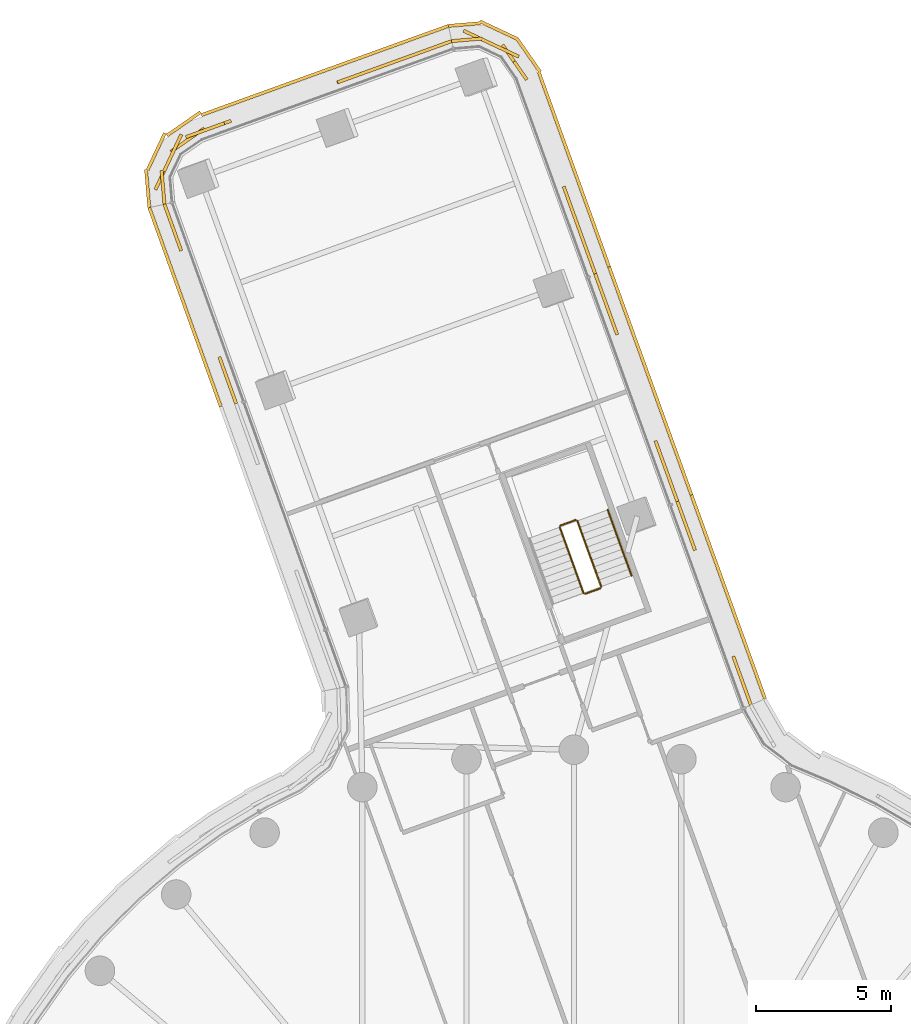
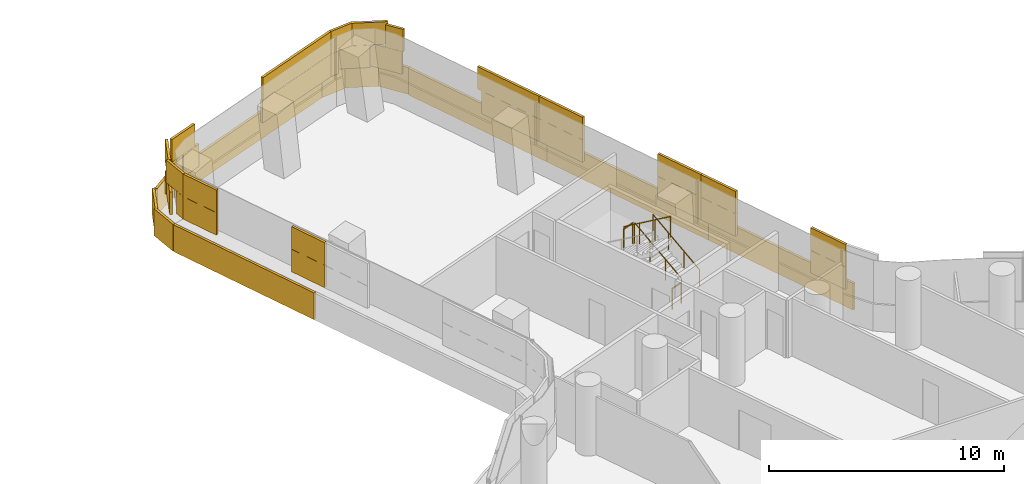
# One storey, part 30 of 30: 5 coverings, 5 railings.
"""IFC4 building model written with IfcOpenShell, lengths in metres."""

import ifcopenshell
import ifcopenshell.guid

model = None  # the IFC model being written
_history = None  # IfcOwnerHistory: only IFC2X3 demands one
_inside = {}  # id of a spatial element -> (the spatial element, [elements in it])
_under = {}  # id of a project, library or spatial element -> (it, [spatial elements below it])
_declared = {}  # id of a project -> (the project, [libraries it declares])
_typed = {}  # id of a type object -> (the type object, [elements of that type])
_made_of = {}  # id of a material, layer set ... -> (it, [elements and type objects made of it])


def new_model(schema):
    """Start an empty IFC model of exactly this schema.

    Asked for "IFC4X3", IfcOpenShell would pick the latest addendum, in which some entities
    have other attributes; the version numbers below select the first issue.
    IFC2X3 requires an IfcOwnerHistory on every rooted entity: one is made here for all.
    """
    global model, _history
    if schema == "IFC4X3":
        model = ifcopenshell.file(schema_version=(4, 3, 0, 0))
    else:
        model = ifcopenshell.file(schema=schema)
    _inside.clear()
    _under.clear()
    _declared.clear()
    _typed.clear()
    _made_of.clear()
    _history = None
    if model.schema == "IFC2X3":
        org = make("IfcOrganization", Name="unknown")
        user = make(
            "IfcPersonAndOrganization",
            ThePerson=make("IfcPerson", FamilyName="unknown"),
            TheOrganization=org,
        )
        app = make(
            "IfcApplication",
            ApplicationDeveloper=org,
            Version="unknown",
            ApplicationFullName="unknown",
            ApplicationIdentifier="unknown",
        )
        _history = make(
            "IfcOwnerHistory",
            OwningUser=user,
            OwningApplication=app,
            ChangeAction="ADDED",
            CreationDate=0,
        )
    return model


def make(cls, **values):
    """One entity of the class cls with the attributes given. An attribute that is None is left unset."""
    return model.create_entity(
        cls, **{name: value for name, value in values.items() if value is not None}
    )


def rooted(cls, **values):
    """An entity with a GlobalId (a new one), such as an element, a storey or a relation."""
    return make(cls, GlobalId=ifcopenshell.guid.new(), OwnerHistory=_history, **values)


def si_unit(unit_type, name, prefix=None):
    """IfcSIUnit, for example si_unit("LENGTHUNIT", "METRE", prefix="MILLI")."""
    return make("IfcSIUnit", UnitType=unit_type, Prefix=prefix, Name=name)


def assignment(units):
    """IfcUnitAssignment: the units of a project."""
    return None if units is None else make("IfcUnitAssignment", Units=units)


def point(xyz):
    """IfcCartesianPoint."""
    return None if xyz is None else make("IfcCartesianPoint", Coordinates=xyz)


def direction(xyz):
    """IfcDirection."""
    return None if xyz is None else make("IfcDirection", DirectionRatios=xyz)


def frame(location, z_axis=None, x_axis=None):
    """IfcAxis2Placement3D, a coordinate frame: its origin and axes. An axis left out is left unset."""
    return make(
        "IfcAxis2Placement3D",
        Location=point(location),
        Axis=direction(z_axis),
        RefDirection=direction(x_axis),
    )


def frame_2d(location, x_axis=None):
    """IfcAxis2Placement2D, a coordinate frame in the plane: its origin and x axis."""
    return make(
        "IfcAxis2Placement2D", Location=point(location), RefDirection=direction(x_axis)
    )


def origin():
    """The frame at (0, 0, 0) with its axes left unset."""
    return frame((0.0, 0.0, 0.0))


def origin_2d():
    """The frame at (0, 0) in the plane with its x axis left unset."""
    return frame_2d((0.0, 0.0))


def place(relative_to, where):
    """IfcLocalPlacement: puts the frame where relative to a parent placement (None: the world)."""
    return make(
        "IfcLocalPlacement", PlacementRelTo=relative_to, RelativePlacement=where
    )


def context(
    kind, dimensions, precision=None, world=None, true_north=None, identifier=None
):
    """IfcGeometricRepresentationContext, for example the 3D "Model" context."""
    return make(
        "IfcGeometricRepresentationContext",
        ContextIdentifier=identifier,
        ContextType=kind,
        CoordinateSpaceDimension=dimensions,
        Precision=precision,
        WorldCoordinateSystem=world,
        TrueNorth=true_north,
    )


def subcontext(parent, identifier, kind, view, scale=None):
    """IfcGeometricRepresentationSubContext, for example "Body" below "Model"."""
    return make(
        "IfcGeometricRepresentationSubContext",
        ContextIdentifier=identifier,
        ContextType=kind,
        ParentContext=parent,
        TargetScale=scale,
        TargetView=view,
    )


def project(units=None, contexts=None):
    """IfcProject with its units and contexts."""
    return rooted(
        "IfcProject",
        Name="project",
        RepresentationContexts=contexts,
        UnitsInContext=assignment(units),
    )


def spatial(cls, under=None, at=None, **own):
    """A site, building, storey or space (cls), placed at a placement, below another one or the project."""
    s = rooted(cls, ObjectPlacement=at, **own)
    if under is not None:
        _under.setdefault(under.id(), (under, []))[1].append(s)
    return s


def profile(cls, at=None, kind="AREA", **sizes):
    """A parametric profile (cls). Its sizes go by their IFC names, for example OverallWidth=200.0."""
    return make(cls, ProfileType=kind, Position=at, **sizes)


def rectangle(**sizes):
    """IfcRectangleProfileDef."""
    return profile("IfcRectangleProfileDef", **sizes)


def circle(**sizes):
    """IfcCircleProfileDef."""
    return profile("IfcCircleProfileDef", **sizes)


def extrude(swept, where, along, depth):
    """IfcExtrudedAreaSolid: the profile swept, set in the frame where, extruded along a direction by depth."""
    return make(
        "IfcExtrudedAreaSolid",
        SweptArea=swept,
        Position=where,
        ExtrudedDirection=direction(along),
        Depth=depth,
    )


def shape(context_of_items, identifier, shape_type, items):
    """IfcShapeRepresentation: the items that make up one representation, for example the "Body"."""
    return make(
        "IfcShapeRepresentation",
        ContextOfItems=context_of_items,
        RepresentationIdentifier=identifier,
        RepresentationType=shape_type,
        Items=items,
    )


def material(Name=None, Category=None):
    """IfcMaterial."""
    return make("IfcMaterial", Name=Name, Category=Category)


def layer(
    of_material, thickness, ventilated=None, Name=None, Category=None, Priority=None
):
    """IfcMaterialLayer: one layer of a wall or slab, of a material (None: an air gap)."""
    return make(
        "IfcMaterialLayer",
        Material=of_material,
        LayerThickness=thickness,
        IsVentilated=ventilated,
        Name=Name,
        Category=Category,
        Priority=Priority,
    )


def layer_set(layers, Name=None):
    """IfcMaterialLayerSet."""
    return make("IfcMaterialLayerSet", MaterialLayers=layers, LayerSetName=Name)


def made_of(thing, what):
    """Note that an element or type object is made of a material, layer set ...; save() writes the relation."""
    if what is not None:
        _made_of.setdefault(what.id(), (what, []))[1].append(thing)
    return thing


def type_object(cls, material=None, **own):
    """A type object (cls), such as IfcWallType, which elements share."""
    return made_of(rooted(cls, **own), material)


def element(
    cls,
    number,
    at=None,
    inside=None,
    cuts=None,
    type_object=None,
    material=None,
    context=None,
    identifier="Body",
    shape_type=None,
    held_by="IfcProductDefinitionShape",
    body=None,
    shapes=None,
    **own,
):
    """One element of the class cls, such as IfcWall. Its Tag is "e" and its number.

    at: its placement. inside: the storey or other place that contains it. cuts: it is an
    opening in that element (IfcRelVoidsElement). A single representation is given by context,
    identifier, shape_type and body (its items); several are given by shapes. held_by: the class
    of the entity that holds the representations. save() writes the other relations.
    """
    e = rooted(cls, Tag="e%d" % number, ObjectPlacement=at, **own)
    if body is not None:
        shapes = [shape(context, identifier, shape_type, body)]
    if shapes is not None:
        e.Representation = make(held_by, Representations=shapes)
    if inside is not None:
        _inside.setdefault(inside.id(), (inside, []))[1].append(e)
    if cuts is not None:
        rooted(
            "IfcRelVoidsElement", RelatingBuildingElement=cuts, RelatedOpeningElement=e
        )
    if type_object is not None:
        _typed.setdefault(type_object.id(), (type_object, []))[1].append(e)
    return made_of(e, material)


def aggregate(whole, parts):
    """IfcRelAggregates: a whole, such as a stair, and the parts it consists of."""
    return rooted("IfcRelAggregates", RelatingObject=whole, RelatedObjects=parts)


def save(model, path):
    """Write the relations noted so far, then the file.

    IfcRelAggregates (storeys below a building ...), IfcRelContainedInSpatialStructure (elements
    in a storey), IfcRelDefinesByType, IfcRelAssociatesMaterial and IfcRelDeclares: one each for
    every whole, place, type object, material and project.
    """
    for whole, parts in _under.values():
        aggregate(whole, parts)
    for where, things in _inside.values():
        rooted(
            "IfcRelContainedInSpatialStructure",
            RelatedElements=things,
            RelatingStructure=where,
        )
    for kind, things in _typed.values():
        rooted("IfcRelDefinesByType", RelatedObjects=things, RelatingType=kind)
    for what, things in _made_of.values():
        rooted("IfcRelAssociatesMaterial", RelatedObjects=things, RelatingMaterial=what)
    for by, libraries in _declared.values():
        rooted("IfcRelDeclares", RelatingContext=by, RelatedDefinitions=libraries)
    model.write(path)


model = new_model("IFC4")

# Units and contexts
model_context = context("Model", 3, precision=1e-05, world=origin(), true_north=direction((0.0, 1.0)))
body_context = subcontext(model_context, "Body", "Model", "MODEL_VIEW")
ifc_project = project(units=[si_unit("LENGTHUNIT", "METRE"), si_unit("AREAUNIT", "SQUARE_METRE"), si_unit("VOLUMEUNIT", "CUBIC_METRE"), si_unit("PLANEANGLEUNIT", "RADIAN"), si_unit("MASSUNIT", "GRAM", prefix="KILO")], contexts=[model_context])

# Site, building, storey
site_placement = place(None, origin())
site = spatial("IfcSite", under=ifc_project, at=site_placement, CompositionType="ELEMENT")
building_placement = place(site_placement, origin())
building = spatial("IfcBuilding", under=site, at=building_placement, Name="Tamarind Cross Interchange Tower", CompositionType="ELEMENT")
storey_placement = place(building_placement, frame((0.0, 0.0, 106.0)))
storey = spatial("IfcBuildingStorey", under=building, at=storey_placement, Name="L25", CompositionType="ELEMENT", Elevation=106.0)

# Railings
ifc_material_1 = material(Name="Stair guard")
railing_type_1 = type_object("IfcRailingType", Name="Stair guard", PredefinedType="GUARDRAIL", material=ifc_material_1)
railing_1_placement = place(storey_placement, frame((1.011474609375, 29.063232421875, 0.17041015625)))
element("IfcRailing", 1, at=railing_1_placement, inside=storey, type_object=railing_type_1, Name="L25 ST4 stair guard 1", PredefinedType="GUARDRAIL", context=body_context, shape_type="SweptSolid", body=[
    extrude(circle(Radius=0.02392578125, at=origin_2d()), frame((0.0, 0.0, 1.076171875), z_axis=(-0.28395603628, 0.786611619308, 0.548280156335), x_axis=(-0.940591389669, -0.339540627438, 0.0)), (0.0, 0.0, 1.0), 3.10888671875),
    extrude(circle(Radius=0.02099609375, at=origin_2d()), origin(), (0.0, 0.0, 1.0), 1.052001953125),
    extrude(circle(Radius=0.02099609375, at=origin_2d()), frame((-0.294189453125, 0.815185546875, 0.568115234375)), (0.0, 0.0, 1.0), 1.052001953125),
    extrude(circle(Radius=0.02099609375, at=origin_2d()), frame((-0.588623046875, 1.63037109375, 1.136474609375)), (0.0, 0.0, 1.0), 1.052001953125),
    extrude(circle(Radius=0.02099609375, at=origin_2d()), frame((-0.8828125, 2.445556640625, 1.70458984375)), (0.0, 0.0, 1.0), 1.052001953125),
])
railing_2_placement = place(storey_placement, frame((0.064697265625, 31.538818359375, 1.875)))
element("IfcRailing", 2, at=railing_2_placement, inside=storey, type_object=railing_type_1, Name="L25 ST4 stair guard 2", PredefinedType="GUARDRAIL", context=body_context, shape_type="SweptSolid", body=[
    extrude(circle(Radius=0.02392578125, at=origin_2d()), frame((0.0, 0.0, 1.076171875), z_axis=(-0.94053945925, -0.339684450032, 0.0), x_axis=(0.339684450032, -0.94053945925, 0.0)), (0.0, 0.0, 1.0), 0.60009765625),
    extrude(circle(Radius=0.02099609375, at=origin_2d()), origin(), (0.0, 0.0, 1.0), 1.052001953125),
    extrude(circle(Radius=0.02099609375, at=origin_2d()), frame((-0.564453125, -0.203857421875, 0.0)), (0.0, 0.0, 1.0), 1.052001953125),
])
railing_3_placement = place(storey_placement, frame((-0.52978515625, 31.27099609375, 2.04541015625)))
element("IfcRailing", 3, at=railing_3_placement, inside=storey, type_object=railing_type_1, Name="L25 ST4 stair guard 3", PredefinedType="GUARDRAIL", context=body_context, shape_type="SweptSolid", body=[
    extrude(circle(Radius=0.02392578125, at=origin_2d()), frame((0.0, 0.0, 1.076171875), z_axis=(0.284028229763, -0.786594077285, 0.548267929281), x_axis=(0.940561398365, 0.339623697503, 0.0)), (0.0, 0.0, 1.0), 3.109130859375),
    extrude(circle(Radius=0.02099609375, at=origin_2d()), origin(), (0.0, 0.0, 1.0), 1.052001953125),
    extrude(circle(Radius=0.02099609375, at=origin_2d()), frame((0.29443359375, -0.815185546875, 0.568115234375)), (0.0, 0.0, 1.0), 1.052001953125),
    extrude(circle(Radius=0.02099609375, at=origin_2d()), frame((0.588623046875, -1.63037109375, 1.136474609375)), (0.0, 0.0, 1.0), 1.052001953125),
    extrude(circle(Radius=0.02099609375, at=origin_2d()), frame((0.883056640625, -2.445556640625, 1.70458984375)), (0.0, 0.0, 1.0), 1.052001953125),
])
railing_4_placement = place(storey_placement, frame((0.9814453125, 28.999267578125, 0.0)))
element("IfcRailing", 4, at=railing_4_placement, inside=storey, type_object=railing_type_1, Name="L25 ST4 stair guard 4", PredefinedType="GUARDRAIL", context=body_context, shape_type="SweptSolid", body=[
    extrude(circle(Radius=0.02392578125, at=origin_2d()), frame((0.0, 0.0, 1.076171875), z_axis=(-0.940492492574, -0.339814466161, 0.0), x_axis=(0.339814466161, -0.940492492574, 0.0)), (0.0, 0.0, 1.0), 0.599853515625),
    extrude(circle(Radius=0.02099609375, at=origin_2d()), origin(), (0.0, 0.0, 1.0), 1.052001953125),
    extrude(circle(Radius=0.02099609375, at=origin_2d()), frame((-0.564208984375, -0.203857421875, 0.0)), (0.0, 0.0, 1.0), 1.052001953125),
])
ifc_material_2 = material(Name="Stair handrail")
railing_type_2 = type_object("IfcRailingType", Name="Stair handrail", PredefinedType="HANDRAIL", material=ifc_material_2)
railing_5_placement = place(storey_placement, frame((2.140380859375, 29.470703125, 0.17041015625)))
element("IfcRailing", 5, at=railing_5_placement, inside=storey, type_object=railing_type_2, Name="L25 ST4 stair handrail 1", PredefinedType="HANDRAIL", context=body_context, shape_type="SweptSolid", body=[
    extrude(circle(Radius=0.02392578125, at=origin_2d()), frame((0.0, 0.0, 0.8759765625), z_axis=(-0.284028229763, 0.786594077285, 0.548267929281), x_axis=(-0.940561398365, -0.339623697503, 0.0)), (0.0, 0.0, 1.0), 3.109130859375),
    extrude(circle(Radius=0.02099609375, at=origin_2d()), origin(), (0.0, 0.0, 1.0), 0.851806640625),
    extrude(circle(Radius=0.02099609375, at=origin_2d()), frame((-0.29443359375, 0.815185546875, 0.568115234375)), (0.0, 0.0, 1.0), 0.851806640625),
    extrude(circle(Radius=0.02099609375, at=origin_2d()), frame((-0.588623046875, 1.63037109375, 1.136474609375)), (0.0, 0.0, 1.0), 0.851806640625),
    extrude(circle(Radius=0.02099609375, at=origin_2d()), frame((-0.883056640625, 2.445556640625, 1.70458984375)), (0.0, 0.0, 1.0), 0.851806640625),
])

# Coverings
ifc_material_3 = material(Name="Terracotta", Category="masonry")
ifc_layer = layer(ifc_material_3, 0.1201171875)
ifc_layer_set = layer_set([ifc_layer], Name="Terracotta")
covering_type = type_object("IfcCoveringType", Name="Terracotta baguette screen unit", PredefinedType="MOLDING", material=ifc_layer_set)
covering_1_placement = place(storey_placement, origin())
element("IfcCovering", 6, at=covering_1_placement, inside=storey, type_object=covering_type, Name="SCR-L25-11-00", PredefinedType="MOLDING", context=body_context, shape_type="SweptSolid", body=[
    extrude(rectangle(XDim=0.760009765625, YDim=0.1201171875, at=origin_2d()), frame((6.449462890625, 25.0146484375, 1.404052734375), z_axis=(0.0, 0.0, 1.0), x_axis=(-0.339578564011, 0.94057769422, 0.0)), (0.0, 0.0, 1.0), 1.1669921875),
    extrude(rectangle(XDim=1.17919921875, YDim=0.1201171875, at=origin_2d()), frame((6.123779296875, 25.917236328125, 1.404052734375), z_axis=(0.0, 0.0, 1.0), x_axis=(-0.339578564011, 0.94057769422, 0.0)), (0.0, 0.0, 1.0), 1.1669921875),
    extrude(rectangle(XDim=0.640869140625, YDim=0.1201171875, at=origin_2d()), frame((4.391845703125, 30.714111328125, 1.404052734375), z_axis=(0.0, 0.0, 1.0), x_axis=(-0.339578564011, 0.94057769422, 0.0)), (0.0, 0.0, 1.0), 1.1669921875),
    extrude(rectangle(XDim=1.29833984375, YDim=0.1201171875, at=origin_2d()), frame((4.06591796875, 31.61669921875, 1.404052734375), z_axis=(0.0, 0.0, 1.0), x_axis=(-0.339578564011, 0.94057769422, 0.0)), (0.0, 0.0, 1.0), 1.1669921875),
    extrude(rectangle(XDim=1.510009765625, YDim=0.1201171875, at=origin_2d()), frame((6.322265625, 25.367431640625, 2.5791015625), z_axis=(0.0, 0.0, 1.0), x_axis=(-0.339578564011, 0.94057769422, 0.0)), (0.0, 0.0, 1.0), 1.1669921875),
    extrude(rectangle(XDim=0.42919921875, YDim=0.1201171875, at=origin_2d()), frame((5.996337890625, 26.27001953125, 2.5791015625), z_axis=(0.0, 0.0, 1.0), x_axis=(-0.339578564011, 0.94057769422, 0.0)), (0.0, 0.0, 1.0), 1.1669921875),
    extrude(rectangle(XDim=1.390869140625, YDim=0.1201171875, at=origin_2d()), frame((4.264404296875, 31.06689453125, 2.5791015625), z_axis=(0.0, 0.0, 1.0), x_axis=(-0.339578564011, 0.94057769422, 0.0)), (0.0, 0.0, 1.0), 1.1669921875),
    extrude(rectangle(XDim=0.54833984375, YDim=0.1201171875, at=origin_2d()), frame((3.938720703125, 31.969482421875, 2.5791015625), z_axis=(0.0, 0.0, 1.0), x_axis=(-0.339578564011, 0.94057769422, 0.0)), (0.0, 0.0, 1.0), 1.1669921875),
    extrude(rectangle(XDim=0.760009765625, YDim=0.1201171875, at=origin_2d()), frame((6.972412109375, 25.2568359375, 0.00390625), z_axis=(0.0, 0.0, 1.0), x_axis=(-0.339578564011, 0.94057769422, 0.0)), (0.0, 0.0, 1.0), 1.39208984375),
    extrude(rectangle(XDim=1.52001953125, YDim=0.1201171875, at=origin_2d()), frame((6.592041015625, 26.310302734375, 0.00390625), z_axis=(0.0, 0.0, 1.0), x_axis=(-0.339578564011, 0.94057769422, 0.0)), (0.0, 0.0, 1.0), 1.39208984375),
    extrude(rectangle(XDim=1.52001953125, YDim=0.1201171875, at=origin_2d()), frame((6.08251953125, 27.72119140625, 0.00390625), z_axis=(0.0, 0.0, 1.0), x_axis=(-0.339578564011, 0.94057769422, 0.0)), (0.0, 0.0, 1.0), 1.39208984375),
    extrude(rectangle(XDim=1.52001953125, YDim=0.1201171875, at=origin_2d()), frame((5.5732421875, 29.132080078125, 0.00390625), z_axis=(0.0, 0.0, 1.0), x_axis=(-0.339578564011, 0.94057769422, 0.0)), (0.0, 0.0, 1.0), 1.39208984375),
    extrude(rectangle(XDim=1.52001953125, YDim=0.1201171875, at=origin_2d()), frame((5.06396484375, 30.54296875, 0.00390625), z_axis=(0.0, 0.0, 1.0), x_axis=(-0.339578564011, 0.94057769422, 0.0)), (0.0, 0.0, 1.0), 1.39208984375),
    extrude(rectangle(XDim=1.30810546875, YDim=0.1201171875, at=origin_2d()), frame((4.590576171875, 31.854248046875, 0.00390625), z_axis=(0.0, 0.0, 1.0), x_axis=(-0.339578564011, 0.94057769422, 0.0)), (0.0, 0.0, 1.0), 1.39208984375),
])
covering_2_placement = place(storey_placement, origin())
element("IfcCovering", 7, at=covering_2_placement, inside=storey, type_object=covering_type, Name="SCR-L25-11-01", PredefinedType="MOLDING", context=body_context, shape_type="SweptSolid", body=[
    extrude(rectangle(XDim=0.2216796875, YDim=0.1201171875, at=origin_2d()), frame((3.811279296875, 32.322021484375, 1.404052734375), z_axis=(0.0, 0.0, 1.0), x_axis=(-0.339578564011, 0.94057769422, 0.0)), (0.0, 0.0, 1.0), 1.1669921875),
    extrude(rectangle(XDim=1.52001953125, YDim=0.1201171875, at=origin_2d()), frame((3.520751953125, 33.127197265625, 1.404052734375), z_axis=(0.0, 0.0, 1.0), x_axis=(-0.339578564011, 0.94057769422, 0.0)), (0.0, 0.0, 1.0), 1.1669921875),
    extrude(rectangle(XDim=0.698974609375, YDim=0.1201171875, at=origin_2d()), frame((3.14892578125, 34.15673828125, 1.404052734375), z_axis=(0.0, 0.0, 1.0), x_axis=(-0.339578564011, 0.94057769422, 0.0)), (0.0, 0.0, 1.0), 1.1669921875),
    extrude(rectangle(XDim=1.120849609375, YDim=0.1201171875, at=origin_2d()), frame((1.417236328125, 38.95361328125, 1.404052734375), z_axis=(0.0, 0.0, 1.0), x_axis=(-0.339578564011, 0.94057769422, 0.0)), (0.0, 0.0, 1.0), 1.1669921875),
    extrude(rectangle(XDim=1.300048828125, YDim=0.1201171875, at=origin_2d()), frame((1.009521484375, 40.082763671875, 1.404052734375), z_axis=(0.0, 0.0, 1.0), x_axis=(-0.339578564011, 0.94057769422, 0.0)), (0.0, 0.0, 1.0), 1.1669921875),
    extrude(rectangle(XDim=0.9716796875, YDim=0.1201171875, at=origin_2d()), frame((3.68408203125, 32.6748046875, 2.5791015625), z_axis=(0.0, 0.0, 1.0), x_axis=(-0.339578564011, 0.94057769422, 0.0)), (0.0, 0.0, 1.0), 1.1669921875),
    extrude(rectangle(XDim=1.448974609375, YDim=0.1201171875, at=origin_2d()), frame((3.2763671875, 33.803955078125, 2.5791015625), z_axis=(0.0, 0.0, 1.0), x_axis=(-0.339578564011, 0.94057769422, 0.0)), (0.0, 0.0, 1.0), 1.1669921875),
    extrude(rectangle(XDim=0.370849609375, YDim=0.1201171875, at=origin_2d()), frame((1.54443359375, 38.600830078125, 2.5791015625), z_axis=(0.0, 0.0, 1.0), x_axis=(-0.339578564011, 0.94057769422, 0.0)), (0.0, 0.0, 1.0), 1.1669921875),
    extrude(rectangle(XDim=1.52001953125, YDim=0.1201171875, at=origin_2d()), frame((1.228515625, 39.47607421875, 2.5791015625), z_axis=(0.0, 0.0, 1.0), x_axis=(-0.339578564011, 0.94057769422, 0.0)), (0.0, 0.0, 1.0), 1.1669921875),
    extrude(rectangle(XDim=0.550048828125, YDim=0.1201171875, at=origin_2d()), frame((0.882080078125, 40.435302734375, 2.5791015625), z_axis=(0.0, 0.0, 1.0), x_axis=(-0.339578564011, 0.94057769422, 0.0)), (0.0, 0.0, 1.0), 1.1669921875),
    extrude(rectangle(XDim=0.2119140625, YDim=0.1201171875, at=origin_2d()), frame((4.33251953125, 32.569091796875, 0.00390625), z_axis=(0.0, 0.0, 1.0), x_axis=(-0.339578564011, 0.94057769422, 0.0)), (0.0, 0.0, 1.0), 1.39208984375),
    extrude(rectangle(XDim=1.52001953125, YDim=0.1201171875, at=origin_2d()), frame((4.045166015625, 33.36474609375, 0.00390625), z_axis=(0.0, 0.0, 1.0), x_axis=(-0.339578564011, 0.94057769422, 0.0)), (0.0, 0.0, 1.0), 1.39208984375),
    extrude(rectangle(XDim=1.52001953125, YDim=0.1201171875, at=origin_2d()), frame((3.535888671875, 34.775634765625, 0.00390625), z_axis=(0.0, 0.0, 1.0), x_axis=(-0.339578564011, 0.94057769422, 0.0)), (0.0, 0.0, 1.0), 1.39208984375),
    extrude(rectangle(XDim=1.52001953125, YDim=0.1201171875, at=origin_2d()), frame((3.0263671875, 36.1865234375, 0.00390625), z_axis=(0.0, 0.0, 1.0), x_axis=(-0.339578564011, 0.94057769422, 0.0)), (0.0, 0.0, 1.0), 1.39208984375),
    extrude(rectangle(XDim=1.52001953125, YDim=0.1201171875, at=origin_2d()), frame((2.51708984375, 37.597412109375, 0.00390625), z_axis=(0.0, 0.0, 1.0), x_axis=(-0.339578564011, 0.94057769422, 0.0)), (0.0, 0.0, 1.0), 1.39208984375),
    extrude(rectangle(XDim=1.52001953125, YDim=0.1201171875, at=origin_2d()), frame((2.007568359375, 39.00830078125, 0.00390625), z_axis=(0.0, 0.0, 1.0), x_axis=(-0.339578564011, 0.94057769422, 0.0)), (0.0, 0.0, 1.0), 1.39208984375),
    extrude(rectangle(XDim=1.320556640625, YDim=0.1201171875, at=origin_2d()), frame((1.5322265625, 40.3251953125, 0.00390625), z_axis=(0.0, 0.0, 1.0), x_axis=(-0.339578564011, 0.94057769422, 0.0)), (0.0, 0.0, 1.0), 1.39208984375),
])
covering_3_placement = place(storey_placement, origin())
element("IfcCovering", 8, at=covering_3_placement, inside=storey, type_object=covering_type, Name="SCR-L25-11-02", PredefinedType="MOLDING", context=body_context, shape_type="SweptSolid", body=[
    extrude(rectangle(XDim=0.219970703125, YDim=0.1201171875, at=origin_2d()), frame((0.7548828125, 40.7880859375, 1.404052734375), z_axis=(0.0, 0.0, 1.0), x_axis=(-0.339578564011, 0.94057769422, 0.0)), (0.0, 0.0, 1.0), 1.1669921875),
    extrude(rectangle(XDim=1.52001953125, YDim=0.1201171875, at=origin_2d()), frame((0.46435546875, 41.59228515625, 1.404052734375), z_axis=(0.0, 0.0, 1.0), x_axis=(-0.339578564011, 0.94057769422, 0.0)), (0.0, 0.0, 1.0), 1.1669921875),
    extrude(rectangle(XDim=1.52001953125, YDim=0.1201171875, at=origin_2d()), frame((-0.044921875, 43.003173828125, 1.404052734375), z_axis=(0.0, 0.0, 1.0), x_axis=(-0.339578564011, 0.94057769422, 0.0)), (0.0, 0.0, 1.0), 1.1669921875),
    extrude(rectangle(XDim=1.52001953125, YDim=0.1201171875, at=origin_2d()), frame((-2.219482421875, 48.57568359375, 1.404052734375), z_axis=(0.0, 0.0, 1.0), x_axis=(-0.571447125695, 0.820638886804, 0.0)), (0.0, 0.0, 1.0), 1.1669921875),
    extrude(rectangle(XDim=1.52001953125, YDim=0.1201171875, at=origin_2d()), frame((-3.4169921875, 49.4033203125, 1.404052734375), z_axis=(0.0, 0.0, 1.0), x_axis=(-0.905207171174, 0.424970560458, 0.0)), (0.0, 0.0, 1.0), 1.1669921875),
    extrude(rectangle(XDim=0.39501953125, YDim=0.1201171875, at=origin_2d()), frame((-4.350341796875, 49.35595703125, 1.404052734375), z_axis=(0.0, 0.0, 1.0), x_axis=(-0.996417686153, -0.08456828437, 0.0)), (0.0, 0.0, 1.0), 1.1669921875),
    extrude(rectangle(XDim=0.969970703125, YDim=0.1201171875, at=origin_2d()), frame((0.62744140625, 41.140869140625, 2.5791015625), z_axis=(0.0, 0.0, 1.0), x_axis=(-0.339578564011, 0.94057769422, 0.0)), (0.0, 0.0, 1.0), 1.1669921875),
    extrude(rectangle(XDim=1.52001953125, YDim=0.1201171875, at=origin_2d()), frame((0.209716796875, 42.2978515625, 2.5791015625), z_axis=(0.0, 0.0, 1.0), x_axis=(-0.339578564011, 0.94057769422, 0.0)), (0.0, 0.0, 1.0), 1.1669921875),
    extrude(rectangle(XDim=0.997314453125, YDim=0.1201171875, at=origin_2d()), frame((-0.212646484375, 43.467529296875, 2.5791015625), z_axis=(0.0, 0.0, 1.0), x_axis=(-0.339578564011, 0.94057769422, 0.0)), (0.0, 0.0, 1.0), 1.1669921875),
    extrude(rectangle(XDim=0.822509765625, YDim=0.1201171875, at=origin_2d()), frame((-1.9873046875, 48.242431640625, 2.5791015625), z_axis=(0.0, 0.0, 1.0), x_axis=(-0.571447125695, 0.820638886804, 0.0)), (0.0, 0.0, 1.0), 1.1669921875),
    extrude(rectangle(XDim=1.52001953125, YDim=0.1201171875, at=origin_2d()), frame((-2.738037109375, 49.08447265625, 2.5791015625), z_axis=(0.0, 0.0, 1.0), x_axis=(-0.905207171174, 0.424970560458, 0.0)), (0.0, 0.0, 1.0), 1.1669921875),
    extrude(rectangle(XDim=1.14501953125, YDim=0.1201171875, at=origin_2d()), frame((-3.9765625, 49.3876953125, 2.5791015625), z_axis=(0.0, 0.0, 1.0), x_axis=(-0.996417686153, -0.08456828437, 0.0)), (0.0, 0.0, 1.0), 1.1669921875),
    extrude(rectangle(XDim=0.199462890625, YDim=0.1201171875, at=origin_2d()), frame((1.274169921875, 41.0400390625, 0.00390625), z_axis=(0.0, 0.0, 1.0), x_axis=(-0.339578564011, 0.94057769422, 0.0)), (0.0, 0.0, 1.0), 1.39208984375),
    extrude(rectangle(XDim=1.52001953125, YDim=0.1201171875, at=origin_2d()), frame((0.989013671875, 41.829833984375, 0.00390625), z_axis=(0.0, 0.0, 1.0), x_axis=(-0.339578564011, 0.94057769422, 0.0)), (0.0, 0.0, 1.0), 1.39208984375),
    extrude(rectangle(XDim=1.52001953125, YDim=0.1201171875, at=origin_2d()), frame((0.4794921875, 43.24072265625, 0.00390625), z_axis=(0.0, 0.0, 1.0), x_axis=(-0.339578564011, 0.94057769422, 0.0)), (0.0, 0.0, 1.0), 1.39208984375),
    extrude(rectangle(XDim=1.52001953125, YDim=0.1201171875, at=origin_2d()), frame((-0.02978515625, 44.651611328125, 0.00390625), z_axis=(0.0, 0.0, 1.0), x_axis=(-0.339578564011, 0.94057769422, 0.0)), (0.0, 0.0, 1.0), 1.39208984375),
    extrude(rectangle(XDim=1.52001953125, YDim=0.1201171875, at=origin_2d()), frame((-0.5390625, 46.0625, 0.00390625), z_axis=(0.0, 0.0, 1.0), x_axis=(-0.339578564011, 0.94057769422, 0.0)), (0.0, 0.0, 1.0), 1.39208984375),
    extrude(rectangle(XDim=1.52001953125, YDim=0.1201171875, at=origin_2d()), frame((-1.048583984375, 47.473388671875, 0.00390625), z_axis=(0.0, 0.0, 1.0), x_axis=(-0.339578564011, 0.94057769422, 0.0)), (0.0, 0.0, 1.0), 1.39208984375),
    extrude(rectangle(XDim=1.52001953125, YDim=0.1201171875, at=origin_2d()), frame((-1.68798828125, 48.81689453125, 0.00390625), z_axis=(0.0, 0.0, 1.0), x_axis=(-0.571447125695, 0.820638886804, 0.0)), (0.0, 0.0, 1.0), 1.39208984375),
    extrude(rectangle(XDim=1.52001953125, YDim=0.1201171875, at=origin_2d()), frame((-2.798828125, 49.7470703125, 0.00390625), z_axis=(0.0, 0.0, 1.0), x_axis=(-0.905207171174, 0.424970560458, 0.0)), (0.0, 0.0, 1.0), 1.39208984375),
    extrude(rectangle(XDim=1.19140625, YDim=0.1201171875, at=origin_2d()), frame((-4.072265625, 49.95556640625, 0.00390625), z_axis=(0.0, 0.0, 1.0), x_axis=(-0.996417686153, -0.08456828437, 0.0)), (0.0, 0.0, 1.0), 1.39208984375),
])
covering_4_placement = place(storey_placement, origin())
element("IfcCovering", 9, at=covering_4_placement, inside=storey, type_object=covering_type, Name="SCR-L25-12-00", PredefinedType="MOLDING", context=body_context, shape_type="SweptSolid", body=[
    extrude(rectangle(XDim=0.760009765625, YDim=0.1201171875, at=origin_2d()), frame((-4.894775390625, 49.21240234375, 1.404052734375), z_axis=(0.0, 0.0, 1.0), x_axis=(-0.94057769422, -0.339578564011, 0.0)), (0.0, 0.0, 1.0), 1.1669921875),
    extrude(rectangle(XDim=1.52001953125, YDim=0.1201171875, at=origin_2d()), frame((-5.952880859375, 48.830322265625, 1.404052734375), z_axis=(0.0, 0.0, 1.0), x_axis=(-0.94057769422, -0.339578564011, 0.0)), (0.0, 0.0, 1.0), 1.1669921875),
    extrude(rectangle(XDim=1.52001953125, YDim=0.1201171875, at=origin_2d()), frame((-7.36376953125, 48.321044921875, 1.404052734375), z_axis=(0.0, 0.0, 1.0), x_axis=(-0.94057769422, -0.339578564011, 0.0)), (0.0, 0.0, 1.0), 1.1669921875),
    extrude(rectangle(XDim=0.784912109375, YDim=0.1201171875, at=origin_2d()), frame((-8.43359375, 47.934814453125, 1.404052734375), z_axis=(0.0, 0.0, 1.0), x_axis=(-0.94057769422, -0.339578564011, 0.0)), (0.0, 0.0, 1.0), 1.1669921875),
    extrude(rectangle(XDim=1.03515625, YDim=0.1201171875, at=origin_2d()), frame((-13.23046875, 46.202880859375, 1.404052734375), z_axis=(0.0, 0.0, 1.0), x_axis=(-0.94057769422, -0.339578564011, 0.0)), (0.0, 0.0, 1.0), 1.1669921875),
    extrude(rectangle(XDim=1.52001953125, YDim=0.1201171875, at=origin_2d()), frame((-14.361083984375, 45.66357421875, 1.404052734375), z_axis=(0.0, 0.0, 1.0), x_axis=(-0.820638886804, -0.571447125695, 0.0)), (0.0, 0.0, 1.0), 1.1669921875),
    extrude(rectangle(XDim=1.52001953125, YDim=0.1201171875, at=origin_2d()), frame((-15.23388671875, 44.50439453125, 1.404052734375), z_axis=(0.0, 0.0, 1.0), x_axis=(-0.424970560458, -0.905207171174, 0.0)), (0.0, 0.0, 1.0), 1.1669921875),
    extrude(rectangle(XDim=0.509521484375, YDim=0.1201171875, at=origin_2d()), frame((-15.240234375, 43.5244140625, 1.404052734375), z_axis=(0.0, 0.0, 1.0), x_axis=(0.08456828437, -0.996417686153, 0.0)), (0.0, 0.0, 1.0), 1.1669921875),
    extrude(rectangle(XDim=1.510009765625, YDim=0.1201171875, at=origin_2d()), frame((-5.24755859375, 49.0849609375, 2.5791015625), z_axis=(0.0, 0.0, 1.0), x_axis=(-0.94057769422, -0.339578564011, 0.0)), (0.0, 0.0, 1.0), 1.1669921875),
    extrude(rectangle(XDim=1.52001953125, YDim=0.1201171875, at=origin_2d()), frame((-6.658203125, 48.57568359375, 2.5791015625), z_axis=(0.0, 0.0, 1.0), x_axis=(-0.94057769422, -0.339578564011, 0.0)), (0.0, 0.0, 1.0), 1.1669921875),
    extrude(rectangle(XDim=1.52001953125, YDim=0.1201171875, at=origin_2d()), frame((-8.069091796875, 48.066162109375, 2.5791015625), z_axis=(0.0, 0.0, 1.0), x_axis=(-0.94057769422, -0.339578564011, 0.0)), (0.0, 0.0, 1.0), 1.1669921875),
    extrude(rectangle(XDim=1.52001953125, YDim=0.1201171875, at=origin_2d()), frame((-13.712646484375, 46.02880859375, 2.5791015625), z_axis=(0.0, 0.0, 1.0), x_axis=(-0.94057769422, -0.339578564011, 0.0)), (0.0, 0.0, 1.0), 1.1669921875),
    extrude(rectangle(XDim=1.52001953125, YDim=0.1201171875, at=origin_2d()), frame((-14.9150390625, 45.183349609375, 2.5791015625), z_axis=(0.0, 0.0, 1.0), x_axis=(-0.424970560458, -0.905207171174, 0.0)), (0.0, 0.0, 1.0), 1.1669921875),
    extrude(rectangle(XDim=1.259521484375, YDim=0.1201171875, at=origin_2d()), frame((-15.27197265625, 43.898193359375, 2.5791015625), z_axis=(0.0, 0.0, 1.0), x_axis=(0.08456828437, -0.996417686153, 0.0)), (0.0, 0.0, 1.0), 1.1669921875),
    extrude(rectangle(XDim=0.760009765625, YDim=0.1201171875, at=origin_2d()), frame((-5.023193359375, 49.776123046875, 0.00390625), z_axis=(0.0, 0.0, 1.0), x_axis=(-0.94057769422, -0.339578564011, 0.0)), (0.0, 0.0, 1.0), 1.39208984375),
    extrude(rectangle(XDim=1.52001953125, YDim=0.1201171875, at=origin_2d()), frame((-6.07666015625, 49.39599609375, 0.00390625), z_axis=(0.0, 0.0, 1.0), x_axis=(-0.94057769422, -0.339578564011, 0.0)), (0.0, 0.0, 1.0), 1.39208984375),
    extrude(rectangle(XDim=1.52001953125, YDim=0.1201171875, at=origin_2d()), frame((-7.487548828125, 48.886474609375, 0.00390625), z_axis=(0.0, 0.0, 1.0), x_axis=(-0.94057769422, -0.339578564011, 0.0)), (0.0, 0.0, 1.0), 1.39208984375),
    extrude(rectangle(XDim=1.52001953125, YDim=0.1201171875, at=origin_2d()), frame((-8.8984375, 48.377197265625, 0.00390625), z_axis=(0.0, 0.0, 1.0), x_axis=(-0.94057769422, -0.339578564011, 0.0)), (0.0, 0.0, 1.0), 1.39208984375),
    extrude(rectangle(XDim=1.52001953125, YDim=0.1201171875, at=origin_2d()), frame((-10.309326171875, 47.86767578125, 0.00390625), z_axis=(0.0, 0.0, 1.0), x_axis=(-0.94057769422, -0.339578564011, 0.0)), (0.0, 0.0, 1.0), 1.39208984375),
    extrude(rectangle(XDim=1.52001953125, YDim=0.1201171875, at=origin_2d()), frame((-11.72021484375, 47.3583984375, 0.00390625), z_axis=(0.0, 0.0, 1.0), x_axis=(-0.94057769422, -0.339578564011, 0.0)), (0.0, 0.0, 1.0), 1.39208984375),
    extrude(rectangle(XDim=1.52001953125, YDim=0.1201171875, at=origin_2d()), frame((-13.131103515625, 46.84912109375, 0.00390625), z_axis=(0.0, 0.0, 1.0), x_axis=(-0.94057769422, -0.339578564011, 0.0)), (0.0, 0.0, 1.0), 1.39208984375),
    extrude(rectangle(XDim=1.52001953125, YDim=0.1201171875, at=origin_2d()), frame((-14.5029296875, 46.26416015625, 0.00390625), z_axis=(0.0, 0.0, 1.0), x_axis=(-0.820638886804, -0.571447125695, 0.0)), (0.0, 0.0, 1.0), 1.39208984375),
    extrude(rectangle(XDim=1.52001953125, YDim=0.1201171875, at=origin_2d()), frame((-15.5263671875, 45.23193359375, 0.00390625), z_axis=(0.0, 0.0, 1.0), x_axis=(-0.424970560458, -0.905207171174, 0.0)), (0.0, 0.0, 1.0), 1.39208984375),
    extrude(rectangle(XDim=1.4267578125, YDim=0.1201171875, at=origin_2d()), frame((-15.844970703125, 43.863037109375, 0.00390625), z_axis=(0.0, 0.0, 1.0), x_axis=(0.08456828437, -0.996417686153, 0.0)), (0.0, 0.0, 1.0), 1.39208984375),
])
covering_5_placement = place(storey_placement, origin())
element("IfcCovering", 10, at=covering_5_placement, inside=storey, type_object=covering_type, Name="SCR-L25-13-00", PredefinedType="MOLDING", context=body_context, shape_type="SweptSolid", body=[
    extrude(rectangle(XDim=0.760009765625, YDim=0.1201171875, at=origin_2d()), frame((-15.09228515625, 42.922607421875, 1.404052734375), z_axis=(0.0, 0.0, 1.0), x_axis=(0.338128919647, -0.941099800074, 0.0)), (0.0, 0.0, 1.0), 1.1669921875),
    extrude(rectangle(XDim=1.09326171875, YDim=0.1201171875, at=origin_2d()), frame((-14.7822265625, 42.06005859375, 1.404052734375), z_axis=(0.0, 0.0, 1.0), x_axis=(0.338128919647, -0.941099800074, 0.0)), (0.0, 0.0, 1.0), 1.1669921875),
    extrude(rectangle(XDim=0.726806640625, YDim=0.1201171875, at=origin_2d()), frame((-13.057861328125, 37.260498046875, 1.404052734375), z_axis=(0.0, 0.0, 1.0), x_axis=(0.338128919647, -0.941099800074, 0.0)), (0.0, 0.0, 1.0), 1.1669921875),
    extrude(rectangle(XDim=1.12646484375, YDim=0.1201171875, at=origin_2d()), frame((-12.748046875, 36.397705078125, 1.404052734375), z_axis=(0.0, 0.0, 1.0), x_axis=(0.338128919647, -0.941099800074, 0.0)), (0.0, 0.0, 1.0), 1.1669921875),
    extrude(rectangle(XDim=1.510009765625, YDim=0.1201171875, at=origin_2d()), frame((-14.965576171875, 42.56982421875, 2.5791015625), z_axis=(0.0, 0.0, 1.0), x_axis=(0.338128919647, -0.941099800074, 0.0)), (0.0, 0.0, 1.0), 1.1669921875),
    extrude(rectangle(XDim=0.34326171875, YDim=0.1201171875, at=origin_2d()), frame((-14.655517578125, 41.70703125, 2.5791015625), z_axis=(0.0, 0.0, 1.0), x_axis=(0.338128919647, -0.941099800074, 0.0)), (0.0, 0.0, 1.0), 1.1669921875),
    extrude(rectangle(XDim=1.476806640625, YDim=0.1201171875, at=origin_2d()), frame((-12.93115234375, 36.907470703125, 2.5791015625), z_axis=(0.0, 0.0, 1.0), x_axis=(0.338128919647, -0.941099800074, 0.0)), (0.0, 0.0, 1.0), 1.1669921875),
    extrude(rectangle(XDim=0.37646484375, YDim=0.1201171875, at=origin_2d()), frame((-12.62109375, 36.044921875, 2.5791015625), z_axis=(0.0, 0.0, 1.0), x_axis=(0.338128919647, -0.941099800074, 0.0)), (0.0, 0.0, 1.0), 1.1669921875),
    extrude(rectangle(XDim=0.760009765625, YDim=0.1201171875, at=origin_2d()), frame((-15.65625, 42.794677734375, 0.00390625), z_axis=(0.0, 0.0, 1.0), x_axis=(0.338128919647, -0.941099800074, 0.0)), (0.0, 0.0, 1.0), 1.39208984375),
    extrude(rectangle(XDim=1.52001953125, YDim=0.1201171875, at=origin_2d()), frame((-15.27734375, 41.740478515625, 0.00390625), z_axis=(0.0, 0.0, 1.0), x_axis=(0.338128919647, -0.941099800074, 0.0)), (0.0, 0.0, 1.0), 1.39208984375),
    extrude(rectangle(XDim=1.52001953125, YDim=0.1201171875, at=origin_2d()), frame((-14.770263671875, 40.328857421875, 0.00390625), z_axis=(0.0, 0.0, 1.0), x_axis=(0.338128919647, -0.941099800074, 0.0)), (0.0, 0.0, 1.0), 1.39208984375),
    extrude(rectangle(XDim=1.52001953125, YDim=0.1201171875, at=origin_2d()), frame((-14.26318359375, 38.917236328125, 0.00390625), z_axis=(0.0, 0.0, 1.0), x_axis=(0.338128919647, -0.941099800074, 0.0)), (0.0, 0.0, 1.0), 1.39208984375),
    extrude(rectangle(XDim=1.52001953125, YDim=0.1201171875, at=origin_2d()), frame((-13.755859375, 37.505615234375, 0.00390625), z_axis=(0.0, 0.0, 1.0), x_axis=(0.338128919647, -0.941099800074, 0.0)), (0.0, 0.0, 1.0), 1.39208984375),
    extrude(rectangle(XDim=1.11962890625, YDim=0.1201171875, at=origin_2d()), frame((-13.31640625, 36.2822265625, 0.00390625), z_axis=(0.0, 0.0, 1.0), x_axis=(0.338128919647, -0.941099800074, 0.0)), (0.0, 0.0, 1.0), 1.39208984375),
])

save(model, "model.ifc")
